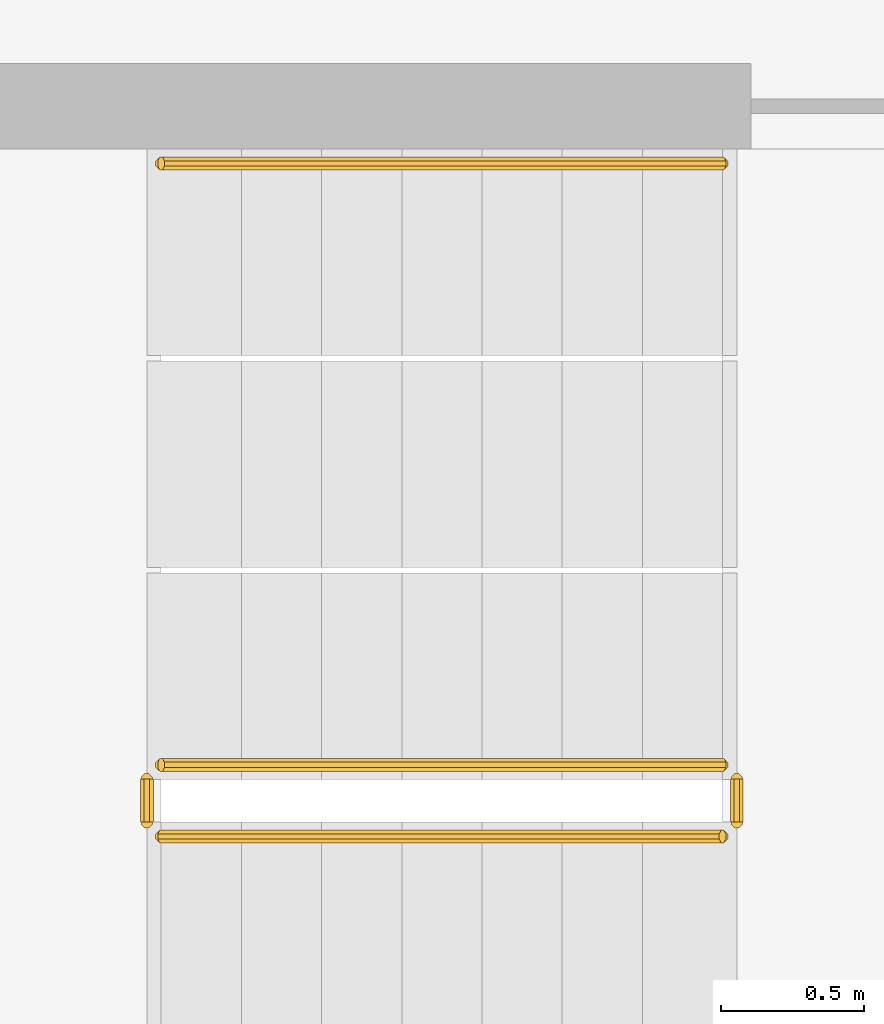
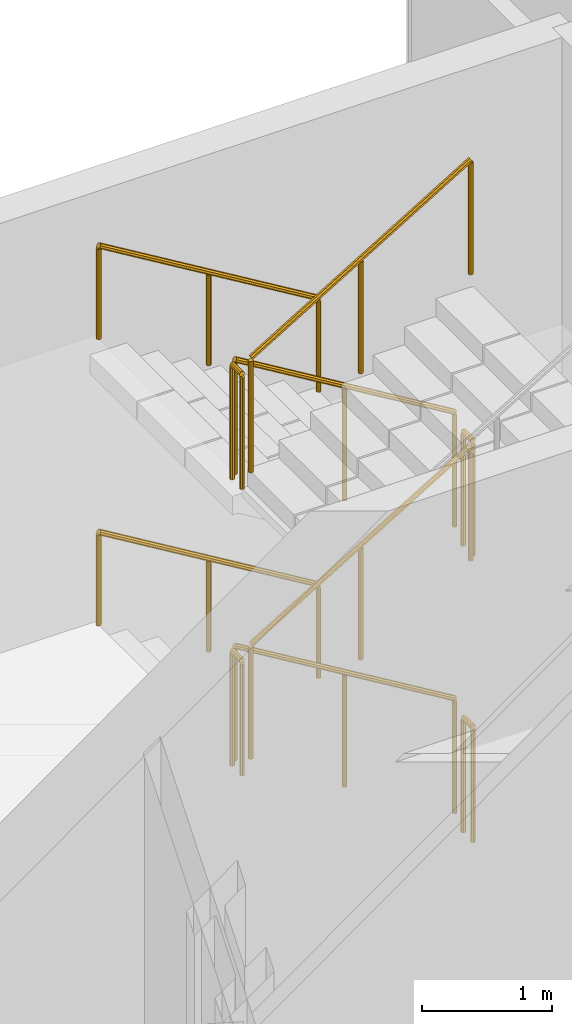
# One storey, part 21 of 32: 10 railings.
"""IFC4 building model written with IfcOpenShell, lengths in metres."""

from ifc_helpers import new_model, si_unit, direction, frame, origin, place, context, subcontext, project, spatial, polyline, outline, extrude, material, type_object, element, save


model = new_model("IFC4")

# Units and contexts
model_context = context("Model", 3, precision=1e-05, world=origin(), true_north=direction((0.0, 1.0)))
body_context = subcontext(model_context, "Body", "Model", "MODEL_VIEW")
ifc_project = project(units=[si_unit("LENGTHUNIT", "METRE"), si_unit("AREAUNIT", "SQUARE_METRE"), si_unit("VOLUMEUNIT", "CUBIC_METRE"), si_unit("PLANEANGLEUNIT", "RADIAN"), si_unit("MASSUNIT", "GRAM", prefix="KILO")], contexts=[model_context])

# Site, building, storey
site_placement = place(None, origin())
site = spatial("IfcSite", under=ifc_project, at=site_placement, CompositionType="ELEMENT")
building_placement = place(site_placement, origin())
building = spatial("IfcBuilding", under=site, at=building_placement, Name="Cormorant Relay Tower", CompositionType="ELEMENT")
storey_placement = place(building_placement, frame((0.0, 0.0, 28.39990234375)))
storey = spatial("IfcBuildingStorey", under=building, at=storey_placement, Name="L05", CompositionType="ELEMENT", Elevation=28.39990234375)

# Railings
ifc_material_1 = material(Name="Steel ASTM A572 Grade 50 (Fy 345 MPa)", Category="steel")
railing_type_1 = type_object("IfcRailingType", Name="Stair guard 1100", PredefinedType="GUARDRAIL", material=ifc_material_1)
railing_1_placement = place(storey_placement, frame((1.60009765625, -18.27490234375, 0.1689453125)))
element("IfcRailing", 1, at=railing_1_placement, inside=storey, type_object=railing_type_1, Name="L05 RK1 stair guard 1", PredefinedType="GUARDRAIL", context=body_context, shape_type="SweptSolid", body=[
    extrude(outline(polyline([(0.022216796875, 0.00927734375), (0.00927734375, 0.022216796875), (-0.00927734375, 0.022216796875), (-0.022216796875, 0.00927734375), (-0.022216796875, -0.00927734375), (-0.00927734375, -0.022216796875), (0.00927734375, -0.022216796875), (0.022216796875, -0.00927734375), (0.022216796875, 0.00927734375)])), frame((0.0, 0.0, 1.076171875), z_axis=(-0.856521883693, 0.0, 0.516110707847), x_axis=(0.0, -1.0, 0.0)), (0.0, 0.0, 1.0), 2.28857421875),
    extrude(outline(polyline([(0.019287109375, 0.008056640625), (0.008056640625, 0.019287109375), (-0.008056640625, 0.019287109375), (-0.019287109375, 0.008056640625), (-0.019287109375, -0.008056640625), (-0.008056640625, -0.019287109375), (0.008056640625, -0.019287109375), (0.019287109375, -0.008056640625), (0.019287109375, 0.008056640625)])), origin(), (0.0, 0.0, 1.0), 1.052001953125),
    extrude(outline(polyline([(0.019287109375, 0.008056640625), (0.008056640625, 0.019287109375), (-0.008056640625, 0.019287109375), (-0.019287109375, 0.008056640625), (-0.019287109375, -0.008056640625), (-0.008056640625, -0.019287109375), (0.008056640625, -0.019287109375), (0.019287109375, -0.008056640625), (0.019287109375, 0.008056640625)])), frame((-0.97998046875, 0.0, 0.590576171875)), (0.0, 0.0, 1.0), 1.052001953125),
    extrude(outline(polyline([(0.019287109375, 0.008056640625), (0.008056640625, 0.019287109375), (-0.008056640625, 0.019287109375), (-0.019287109375, 0.008056640625), (-0.019287109375, -0.008056640625), (-0.008056640625, -0.019287109375), (0.008056640625, -0.019287109375), (0.019287109375, -0.008056640625), (0.019287109375, 0.008056640625)])), frame((-1.960205078125, 0.0, 1.18115234375)), (0.0, 0.0, 1.0), 1.052001953125),
])
railing_2_placement = place(storey_placement, frame((-0.409912109375, -18.324951171875, 1.35009765625)))
element("IfcRailing", 2, at=railing_2_placement, inside=storey, type_object=railing_type_1, Name="L05 RK1 stair guard 2", PredefinedType="GUARDRAIL", context=body_context, shape_type="SweptSolid", body=[
    extrude(outline(polyline([(0.022216796875, 0.00927734375), (0.00927734375, 0.022216796875), (-0.00927734375, 0.022216796875), (-0.022216796875, 0.00927734375), (-0.022216796875, -0.00927734375), (-0.00927734375, -0.022216796875), (0.00927734375, -0.022216796875), (0.022216796875, -0.00927734375), (0.022216796875, 0.00927734375)])), frame((0.0, 0.0, 1.076171875), z_axis=(0.0, -1.0, 0.0), x_axis=(1.0, 0.0, 0.0)), (0.0, 0.0, 1.0), 0.150146484375),
    extrude(outline(polyline([(0.019287109375, 0.008056640625), (0.008056640625, 0.019287109375), (-0.008056640625, 0.019287109375), (-0.019287109375, 0.008056640625), (-0.019287109375, -0.008056640625), (-0.008056640625, -0.019287109375), (0.008056640625, -0.019287109375), (0.019287109375, -0.008056640625), (0.019287109375, 0.008056640625)])), origin(), (0.0, 0.0, 1.0), 1.052001953125),
    extrude(outline(polyline([(0.019287109375, 0.008056640625), (0.008056640625, 0.019287109375), (-0.008056640625, 0.019287109375), (-0.019287109375, 0.008056640625), (-0.019287109375, -0.008056640625), (-0.008056640625, -0.019287109375), (0.008056640625, -0.019287109375), (0.019287109375, -0.008056640625), (0.019287109375, 0.008056640625)])), frame((0.0, -0.150146484375, 0.0)), (0.0, 0.0, 1.0), 1.052001953125),
])
railing_3_placement = place(storey_placement, frame((-0.360107421875, -18.52490234375, 1.518798828125)))
element("IfcRailing", 3, at=railing_3_placement, inside=storey, type_object=railing_type_1, Name="L05 RK1 stair guard 3", PredefinedType="GUARDRAIL", context=body_context, shape_type="SweptSolid", body=[
    extrude(outline(polyline([(0.022216796875, 0.00927734375), (0.00927734375, 0.022216796875), (-0.00927734375, 0.022216796875), (-0.022216796875, 0.00927734375), (-0.022216796875, -0.00927734375), (-0.00927734375, -0.022216796875), (0.00927734375, -0.022216796875), (0.022216796875, -0.00927734375), (0.022216796875, 0.00927734375)])), frame((0.0, 0.0, 1.076171875), z_axis=(0.856474724393, 0.0, 0.516188963923), x_axis=(0.0, 1.0, 0.0)), (0.0, 0.0, 1.0), 2.28857421875),
    extrude(outline(polyline([(0.019287109375, 0.008056640625), (0.008056640625, 0.019287109375), (-0.008056640625, 0.019287109375), (-0.019287109375, 0.008056640625), (-0.019287109375, -0.008056640625), (-0.008056640625, -0.019287109375), (0.008056640625, -0.019287109375), (0.019287109375, -0.008056640625), (0.019287109375, 0.008056640625)])), origin(), (0.0, 0.0, 1.0), 1.052001953125),
    extrude(outline(polyline([(0.019287109375, 0.008056640625), (0.008056640625, 0.019287109375), (-0.008056640625, 0.019287109375), (-0.019287109375, 0.008056640625), (-0.019287109375, -0.008056640625), (-0.008056640625, -0.019287109375), (0.008056640625, -0.019287109375), (0.019287109375, -0.008056640625), (0.019287109375, 0.008056640625)])), frame((0.97998046875, 0.0, 0.5908203125)), (0.0, 0.0, 1.0), 1.052001953125),
    extrude(outline(polyline([(0.019287109375, 0.008056640625), (0.008056640625, 0.019287109375), (-0.008056640625, 0.019287109375), (-0.019287109375, 0.008056640625), (-0.019287109375, -0.008056640625), (-0.008056640625, -0.019287109375), (0.008056640625, -0.019287109375), (0.019287109375, -0.008056640625), (0.019287109375, 0.008056640625)])), frame((1.960205078125, 0.0, 1.181396484375)), (0.0, 0.0, 1.0), 1.052001953125),
])
railing_4_placement = place(storey_placement, frame((1.64990234375, -18.324951171875, 2.7001953125)))
element("IfcRailing", 4, at=railing_4_placement, inside=storey, type_object=railing_type_1, Name="L05 RK1 stair guard 4", PredefinedType="GUARDRAIL", context=body_context, shape_type="SweptSolid", body=[
    extrude(outline(polyline([(0.022216796875, 0.00927734375), (0.00927734375, 0.022216796875), (-0.00927734375, 0.022216796875), (-0.022216796875, 0.00927734375), (-0.022216796875, -0.00927734375), (-0.00927734375, -0.022216796875), (0.00927734375, -0.022216796875), (0.022216796875, -0.00927734375), (0.022216796875, 0.00927734375)])), frame((0.0, 0.0, 1.076171875), z_axis=(0.0, -1.0, 0.0), x_axis=(1.0, 0.0, 0.0)), (0.0, 0.0, 1.0), 0.150146484375),
    extrude(outline(polyline([(0.019287109375, 0.008056640625), (0.008056640625, 0.019287109375), (-0.008056640625, 0.019287109375), (-0.019287109375, 0.008056640625), (-0.019287109375, -0.008056640625), (-0.008056640625, -0.019287109375), (0.008056640625, -0.019287109375), (0.019287109375, -0.008056640625), (0.019287109375, 0.008056640625)])), origin(), (0.0, 0.0, 1.0), 1.052001953125),
    extrude(outline(polyline([(0.019287109375, 0.008056640625), (0.008056640625, 0.019287109375), (-0.008056640625, 0.019287109375), (-0.019287109375, 0.008056640625), (-0.019287109375, -0.008056640625), (-0.008056640625, -0.019287109375), (0.008056640625, -0.019287109375), (0.019287109375, -0.008056640625), (0.019287109375, 0.008056640625)])), frame((0.0, -0.150146484375, 0.0)), (0.0, 0.0, 1.0), 1.052001953125),
])
railing_5_placement = place(storey_placement, frame((1.60009765625, -18.27490234375, 2.868896484375)))
element("IfcRailing", 5, at=railing_5_placement, inside=storey, type_object=railing_type_1, Name="L05 RK1 stair guard 5", PredefinedType="GUARDRAIL", context=body_context, shape_type="SweptSolid", body=[
    extrude(outline(polyline([(0.022216796875, 0.00927734375), (0.00927734375, 0.022216796875), (-0.00927734375, 0.022216796875), (-0.022216796875, 0.00927734375), (-0.022216796875, -0.00927734375), (-0.00927734375, -0.022216796875), (0.00927734375, -0.022216796875), (0.022216796875, -0.00927734375), (0.022216796875, 0.00927734375)])), frame((0.0, 0.0, 1.076171875), z_axis=(-0.856521883693, 0.0, 0.516110707847), x_axis=(0.0, -1.0, 0.0)), (0.0, 0.0, 1.0), 2.28857421875),
    extrude(outline(polyline([(0.019287109375, 0.008056640625), (0.008056640625, 0.019287109375), (-0.008056640625, 0.019287109375), (-0.019287109375, 0.008056640625), (-0.019287109375, -0.008056640625), (-0.008056640625, -0.019287109375), (0.008056640625, -0.019287109375), (0.019287109375, -0.008056640625), (0.019287109375, 0.008056640625)])), origin(), (0.0, 0.0, 1.0), 1.052001953125),
    extrude(outline(polyline([(0.019287109375, 0.008056640625), (0.008056640625, 0.019287109375), (-0.008056640625, 0.019287109375), (-0.019287109375, 0.008056640625), (-0.019287109375, -0.008056640625), (-0.008056640625, -0.019287109375), (0.008056640625, -0.019287109375), (0.019287109375, -0.008056640625), (0.019287109375, 0.008056640625)])), frame((-0.97998046875, 0.0, 0.590576171875)), (0.0, 0.0, 1.0), 1.052001953125),
    extrude(outline(polyline([(0.019287109375, 0.008056640625), (0.008056640625, 0.019287109375), (-0.008056640625, 0.019287109375), (-0.019287109375, 0.008056640625), (-0.019287109375, -0.008056640625), (-0.008056640625, -0.019287109375), (0.008056640625, -0.019287109375), (0.019287109375, -0.008056640625), (0.019287109375, 0.008056640625)])), frame((-1.960205078125, 0.0, 1.18115234375)), (0.0, 0.0, 1.0), 1.052001953125),
])
railing_6_placement = place(storey_placement, frame((-0.409912109375, -18.324951171875, 4.050048828125)))
element("IfcRailing", 6, at=railing_6_placement, inside=storey, type_object=railing_type_1, Name="L05 RK1 stair guard 6", PredefinedType="GUARDRAIL", context=body_context, shape_type="SweptSolid", body=[
    extrude(outline(polyline([(0.022216796875, 0.00927734375), (0.00927734375, 0.022216796875), (-0.00927734375, 0.022216796875), (-0.022216796875, 0.00927734375), (-0.022216796875, -0.00927734375), (-0.00927734375, -0.022216796875), (0.00927734375, -0.022216796875), (0.022216796875, -0.00927734375), (0.022216796875, 0.00927734375)])), frame((0.0, 0.0, 1.076171875), z_axis=(0.0, -1.0, 0.0), x_axis=(1.0, 0.0, 0.0)), (0.0, 0.0, 1.0), 0.150146484375),
    extrude(outline(polyline([(0.019287109375, 0.008056640625), (0.008056640625, 0.019287109375), (-0.008056640625, 0.019287109375), (-0.019287109375, 0.008056640625), (-0.019287109375, -0.008056640625), (-0.008056640625, -0.019287109375), (0.008056640625, -0.019287109375), (0.019287109375, -0.008056640625), (0.019287109375, 0.008056640625)])), origin(), (0.0, 0.0, 1.0), 1.052001953125),
    extrude(outline(polyline([(0.019287109375, 0.008056640625), (0.008056640625, 0.019287109375), (-0.008056640625, 0.019287109375), (-0.019287109375, 0.008056640625), (-0.019287109375, -0.008056640625), (-0.008056640625, -0.019287109375), (0.008056640625, -0.019287109375), (0.019287109375, -0.008056640625), (0.019287109375, 0.008056640625)])), frame((0.0, -0.150146484375, 0.0)), (0.0, 0.0, 1.0), 1.052001953125),
])
railing_7_placement = place(storey_placement, frame((-0.360107421875, -18.52490234375, 4.21875)))
element("IfcRailing", 7, at=railing_7_placement, inside=storey, type_object=railing_type_1, Name="L05 RK1 stair guard 7", PredefinedType="GUARDRAIL", context=body_context, shape_type="SweptSolid", body=[
    extrude(outline(polyline([(0.022216796875, 0.00927734375), (0.00927734375, 0.022216796875), (-0.00927734375, 0.022216796875), (-0.022216796875, 0.00927734375), (-0.022216796875, -0.00927734375), (-0.00927734375, -0.022216796875), (0.00927734375, -0.022216796875), (0.022216796875, -0.00927734375), (0.022216796875, 0.00927734375)])), frame((0.0, 0.0, 1.076171875), z_axis=(0.856474724393, 0.0, 0.516188963923), x_axis=(0.0, 1.0, 0.0)), (0.0, 0.0, 1.0), 2.28857421875),
    extrude(outline(polyline([(0.019287109375, 0.008056640625), (0.008056640625, 0.019287109375), (-0.008056640625, 0.019287109375), (-0.019287109375, 0.008056640625), (-0.019287109375, -0.008056640625), (-0.008056640625, -0.019287109375), (0.008056640625, -0.019287109375), (0.019287109375, -0.008056640625), (0.019287109375, 0.008056640625)])), origin(), (0.0, 0.0, 1.0), 1.052001953125),
    extrude(outline(polyline([(0.019287109375, 0.008056640625), (0.008056640625, 0.019287109375), (-0.008056640625, 0.019287109375), (-0.019287109375, 0.008056640625), (-0.019287109375, -0.008056640625), (-0.008056640625, -0.019287109375), (0.008056640625, -0.019287109375), (0.019287109375, -0.008056640625), (0.019287109375, 0.008056640625)])), frame((0.97998046875, 0.0, 0.5908203125)), (0.0, 0.0, 1.0), 1.052001953125),
    extrude(outline(polyline([(0.019287109375, 0.008056640625), (0.008056640625, 0.019287109375), (-0.008056640625, 0.019287109375), (-0.019287109375, 0.008056640625), (-0.019287109375, -0.008056640625), (-0.008056640625, -0.019287109375), (0.008056640625, -0.019287109375), (0.019287109375, -0.008056640625), (0.019287109375, 0.008056640625)])), frame((1.960205078125, 0.0, 1.181396484375)), (0.0, 0.0, 1.0), 1.052001953125),
])
railing_8_placement = place(storey_placement, frame((1.64990234375, -18.324951171875, 0.0)))
element("IfcRailing", 8, at=railing_8_placement, inside=storey, type_object=railing_type_1, Name="L05 RK1 stair guard 8", PredefinedType="GUARDRAIL", context=body_context, shape_type="SweptSolid", body=[
    extrude(outline(polyline([(0.022216796875, 0.00927734375), (0.00927734375, 0.022216796875), (-0.00927734375, 0.022216796875), (-0.022216796875, 0.00927734375), (-0.022216796875, -0.00927734375), (-0.00927734375, -0.022216796875), (0.00927734375, -0.022216796875), (0.022216796875, -0.00927734375), (0.022216796875, 0.00927734375)])), frame((0.0, 0.0, 1.076171875), z_axis=(0.0, -1.0, 0.0), x_axis=(1.0, 0.0, 0.0)), (0.0, 0.0, 1.0), 0.150146484375),
    extrude(outline(polyline([(0.019287109375, 0.008056640625), (0.008056640625, 0.019287109375), (-0.008056640625, 0.019287109375), (-0.019287109375, 0.008056640625), (-0.019287109375, -0.008056640625), (-0.008056640625, -0.019287109375), (0.008056640625, -0.019287109375), (0.019287109375, -0.008056640625), (0.019287109375, 0.008056640625)])), origin(), (0.0, 0.0, 1.0), 1.052001953125),
    extrude(outline(polyline([(0.019287109375, 0.008056640625), (0.008056640625, 0.019287109375), (-0.008056640625, 0.019287109375), (-0.019287109375, 0.008056640625), (-0.019287109375, -0.008056640625), (-0.008056640625, -0.019287109375), (0.008056640625, -0.019287109375), (0.019287109375, -0.008056640625), (0.019287109375, 0.008056640625)])), frame((0.0, -0.150146484375, 0.0)), (0.0, 0.0, 1.0), 1.052001953125),
])
ifc_material_2 = material(Name="Steel ASTM A572 Grade 50 (Fy 345 MPa)", Category="steel")
railing_type_2 = type_object("IfcRailingType", Name="Stair handrail 900", PredefinedType="HANDRAIL", material=ifc_material_2)
for number, where, name in (
    (9, (1.60009765625, -16.175048828125, 0.1689453125), "L05 RK1 stair handrail 1"),
    (10, (1.60009765625, -16.175048828125, 2.868896484375), "L05 RK1 stair handrail 3"),
):
    element("IfcRailing", number, at=place(storey_placement, frame(where)), inside=storey, type_object=railing_type_2, Name=name, PredefinedType="HANDRAIL", context=body_context, shape_type="SweptSolid", body=[
        extrude(outline(polyline([(0.022216796875, 0.00927734375), (0.00927734375, 0.022216796875), (-0.00927734375, 0.022216796875), (-0.022216796875, 0.00927734375), (-0.022216796875, -0.00927734375), (-0.00927734375, -0.022216796875), (0.00927734375, -0.022216796875), (0.022216796875, -0.00927734375), (0.022216796875, 0.00927734375)])), frame((0.0, 0.0, 0.8759765625), z_axis=(-0.856521883693, 0.0, 0.516110707847), x_axis=(0.0, -1.0, 0.0)), (0.0, 0.0, 1.0), 2.28857421875),
        extrude(outline(polyline([(0.019287109375, 0.008056640625), (0.008056640625, 0.019287109375), (-0.008056640625, 0.019287109375), (-0.019287109375, 0.008056640625), (-0.019287109375, -0.008056640625), (-0.008056640625, -0.019287109375), (0.008056640625, -0.019287109375), (0.019287109375, -0.008056640625), (0.019287109375, 0.008056640625)])), origin(), (0.0, 0.0, 1.0), 0.851806640625),
        extrude(outline(polyline([(0.019287109375, 0.008056640625), (0.008056640625, 0.019287109375), (-0.008056640625, 0.019287109375), (-0.019287109375, 0.008056640625), (-0.019287109375, -0.008056640625), (-0.008056640625, -0.019287109375), (0.008056640625, -0.019287109375), (0.019287109375, -0.008056640625), (0.019287109375, 0.008056640625)])), frame((-0.97998046875, 0.0, 0.590576171875)), (0.0, 0.0, 1.0), 0.851806640625),
        extrude(outline(polyline([(0.019287109375, 0.008056640625), (0.008056640625, 0.019287109375), (-0.008056640625, 0.019287109375), (-0.019287109375, 0.008056640625), (-0.019287109375, -0.008056640625), (-0.008056640625, -0.019287109375), (0.008056640625, -0.019287109375), (0.019287109375, -0.008056640625), (0.019287109375, 0.008056640625)])), frame((-1.960205078125, 0.0, 1.18115234375)), (0.0, 0.0, 1.0), 0.851806640625),
    ])

save(model, "model.ifc")
